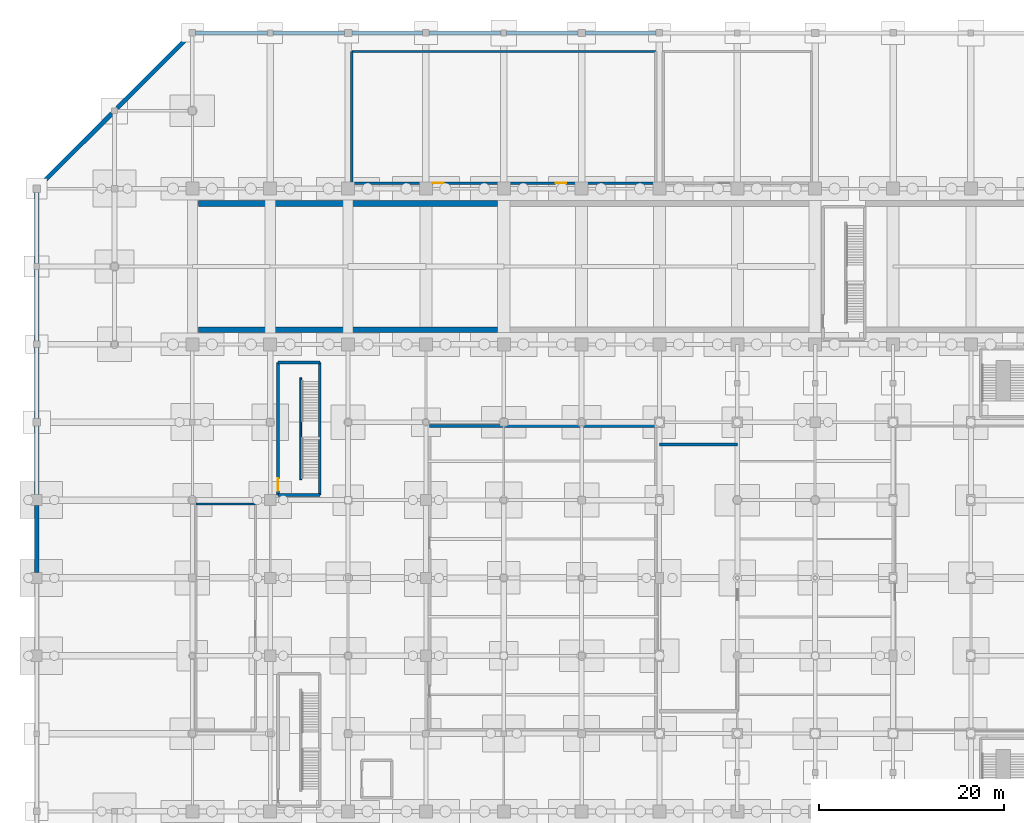
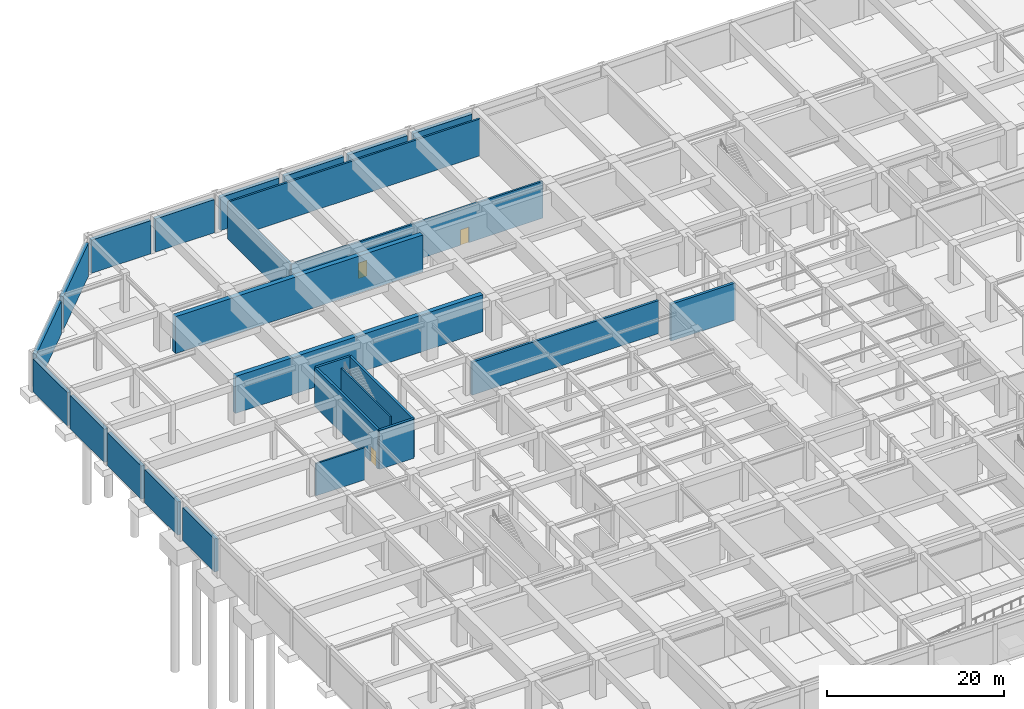
# One storey, part 21 of 26: 26 walls, 3 doors, 3 openings.
"""IFC4 building model written with IfcOpenShell, lengths in metres."""

from ifc_helpers import new_model, si_unit, direction, frame, frame_2d, origin, place, context, subcontext, project, spatial, rectangle, extrude, material, layer, layer_set, type_object, element, fill, save


model = new_model("IFC4")

# Units and contexts
model_context = context("Model", 3, precision=1e-05, world=origin(), true_north=direction((0.0, 1.0)))
body_context = subcontext(model_context, "Body", "Model", "MODEL_VIEW")
ifc_project = project(units=[si_unit("LENGTHUNIT", "METRE"), si_unit("AREAUNIT", "SQUARE_METRE"), si_unit("VOLUMEUNIT", "CUBIC_METRE"), si_unit("PLANEANGLEUNIT", "RADIAN"), si_unit("MASSUNIT", "GRAM", prefix="KILO")], contexts=[model_context])

# Site, building, storey
site_placement = place(None, origin())
site = spatial("IfcSite", under=ifc_project, at=site_placement, CompositionType="ELEMENT")
building_placement = place(site_placement, origin())
building = spatial("IfcBuilding", under=site, at=building_placement, Name="Xuanlan Plaza Opera House", CompositionType="ELEMENT")
storey_placement = place(building_placement, frame((0.0, 0.0, -5.39990234375)))
storey = spatial("IfcBuildingStorey", under=building, at=storey_placement, Name="B01", CompositionType="ELEMENT", Elevation=-5.39990234375)

# Walls
ifc_material_1 = material(Name="Concrete C50", Category="concrete")
ifc_layer_1 = layer(ifc_material_1, 0.47998046875)
ifc_layer_set_1 = layer_set([ifc_layer_1], Name="Concrete C50")
wall_type_1 = type_object("IfcWallType", Name="ENV-WL-EW-B01", PredefinedType="SHEAR", material=ifc_layer_set_1)
wall_1_placement = place(storey_placement, frame((66.85009765625, 117.60009765625, 0.0), z_axis=(0.0, 0.0, 1.0), x_axis=(-1.0, 0.0, 0.0)))
element("IfcWall", 1, at=wall_1_placement, inside=storey, type_object=wall_type_1, Name="Exterior Wall B01-041", PredefinedType="SHEAR", context=body_context, shape_type="SweptSolid", body=[
    extrude(rectangle(XDim=7.650146484375, YDim=0.47998046875, at=frame_2d((3.8251953125, 0.0))), origin(), (0.0, 0.0, 1.0), 4.579833984375),
])
wall_2_placement = place(storey_placement, frame((58.39990234375, 117.60009765625, 0.0), z_axis=(0.0, 0.0, 1.0), x_axis=(-1.0, 0.0, 0.0)))
element("IfcWall", 2, at=wall_2_placement, inside=storey, type_object=wall_type_1, Name="Exterior Wall B01-042", PredefinedType="SHEAR", context=body_context, shape_type="SweptSolid", body=[
    extrude(rectangle(XDim=7.699951171875, YDim=0.47998046875, at=frame_2d((3.85009765625, 0.0))), origin(), (0.0, 0.0, 1.0), 4.579833984375),
])
wall_3_placement = place(storey_placement, frame((50.10009765625, 117.60009765625, 0.0), z_axis=(0.0, 0.0, 1.0), x_axis=(-1.0, 0.0, 0.0)))
element("IfcWall", 3, at=wall_3_placement, inside=storey, type_object=wall_type_1, Name="Exterior Wall B01-043", PredefinedType="SHEAR", context=body_context, shape_type="SweptSolid", body=[
    extrude(rectangle(XDim=7.75, YDim=0.47998046875, at=frame_2d((3.875, 0.0))), origin(), (0.0, 0.0, 1.0), 4.579833984375),
])
wall_4_placement = place(storey_placement, frame((41.64990234375, 117.60009765625, 0.0), z_axis=(0.0, 0.0, 1.0), x_axis=(-1.0, 0.0, 0.0)))
element("IfcWall", 4, at=wall_4_placement, inside=storey, type_object=wall_type_1, Name="Exterior Wall B01-044", PredefinedType="SHEAR", context=body_context, shape_type="SweptSolid", body=[
    extrude(rectangle(XDim=7.64990234375, YDim=0.47998046875, at=frame_2d((3.824951171875, 0.0))), origin(), (0.0, 0.0, 1.0), 4.579833984375),
])
wall_5_placement = place(storey_placement, frame((33.199951171875, 117.60009765625, 0.0), z_axis=(0.0, 0.0, 1.0), x_axis=(-1.0, 0.0, 0.0)))
element("IfcWall", 5, at=wall_5_placement, inside=storey, type_object=wall_type_1, Name="Exterior Wall B01-045", PredefinedType="SHEAR", context=body_context, shape_type="SweptSolid", body=[
    extrude(rectangle(XDim=7.699951171875, YDim=0.47998046875, at=frame_2d((3.85009765625, 0.0))), origin(), (0.0, 0.0, 1.0), 4.579833984375),
])
wall_6_placement = place(storey_placement, frame((24.89990234375, 117.60009765625, 0.0), z_axis=(0.0, 0.0, 1.0), x_axis=(-1.0, 0.0, 0.0)))
element("IfcWall", 6, at=wall_6_placement, inside=storey, type_object=wall_type_1, Name="Exterior Wall B01-046", PredefinedType="SHEAR", context=body_context, shape_type="SweptSolid", body=[
    extrude(rectangle(XDim=7.75, YDim=0.47998046875, at=frame_2d((3.875, 0.0))), origin(), (0.0, 0.0, 1.0), 4.579833984375),
])
wall_7_placement = place(storey_placement, frame((16.449951171875, 117.25, 0.0), z_axis=(0.0, 0.0, 1.0), x_axis=(-0.707106781187, -0.707106781187, 0.0)))
element("IfcWall", 7, at=wall_7_placement, inside=storey, type_object=wall_type_1, Name="Exterior Wall B01-047", PredefinedType="SHEAR", context=body_context, shape_type="SweptSolid", body=[
    extrude(rectangle(XDim=10.960205078125, YDim=0.47998046875, at=frame_2d((5.47998046875, 0.0))), origin(), (0.0, 0.0, 1.0), 4.579833984375),
])
wall_8_placement = place(storey_placement, frame((8.10009765625, 108.89990234375, 0.0), z_axis=(0.0, 0.0, 1.0), x_axis=(-0.707117990958, -0.707095571237, 0.0)))
element("IfcWall", 8, at=wall_8_placement, inside=storey, type_object=wall_type_1, Name="Exterior Wall B01-048", PredefinedType="SHEAR", context=body_context, shape_type="SweptSolid", body=[
    extrude(rectangle(XDim=10.8896484375, YDim=0.47998046875, at=frame_2d((5.44482421875, 0.0))), origin(), (0.0, 0.0, 1.0), 4.579833984375),
])
wall_9_placement = place(storey_placement, frame((0.0, 100.39990234375, 0.0), z_axis=(0.0, 0.0, 1.0), x_axis=(0.0, -1.0, 0.0)))
element("IfcWall", 9, at=wall_9_placement, inside=storey, type_object=wall_type_1, Name="Exterior Wall B01-049", PredefinedType="SHEAR", context=body_context, shape_type="SweptSolid", body=[
    extrude(rectangle(XDim=7.699951171875, YDim=0.47998046875, at=frame_2d((3.85009765625, 0.0))), origin(), (0.0, 0.0, 1.0), 4.579833984375),
])
wall_10_placement = place(storey_placement, frame((0.0, 92.10009765625, 0.0), z_axis=(0.0, 0.0, 1.0), x_axis=(0.0, -1.0, 0.0)))
element("IfcWall", 10, at=wall_10_placement, inside=storey, type_object=wall_type_1, Name="Exterior Wall B01-050", PredefinedType="SHEAR", context=body_context, shape_type="SweptSolid", body=[
    extrude(rectangle(XDim=7.75, YDim=0.47998046875, at=frame_2d((3.875, 0.0))), origin(), (0.0, 0.0, 1.0), 4.579833984375),
])
wall_11_placement = place(storey_placement, frame((0.0, 83.64990234375, 0.0), z_axis=(0.0, 0.0, 1.0), x_axis=(0.0, -1.0, 0.0)))
element("IfcWall", 11, at=wall_11_placement, inside=storey, type_object=wall_type_1, Name="Exterior Wall B01-051", PredefinedType="SHEAR", context=body_context, shape_type="SweptSolid", body=[
    extrude(rectangle(XDim=7.64990234375, YDim=0.47998046875, at=frame_2d((3.824951171875, 0.0))), origin(), (0.0, 0.0, 1.0), 4.579833984375),
])
wall_12_placement = place(storey_placement, frame((0.0, 75.199951171875, 0.0), z_axis=(0.0, 0.0, 1.0), x_axis=(0.0, -1.0, 0.0)))
element("IfcWall", 12, at=wall_12_placement, inside=storey, type_object=wall_type_1, Name="Exterior Wall B01-052", PredefinedType="SHEAR", context=body_context, shape_type="SweptSolid", body=[
    extrude(rectangle(XDim=7.39990234375, YDim=0.47998046875, at=frame_2d((3.699951171875, 0.0))), origin(), (0.0, 0.0, 1.0), 4.579833984375),
])
wall_13_placement = place(storey_placement, frame((0.0, 66.60009765625, 0.0), z_axis=(0.0, 0.0, 1.0), x_axis=(0.0, -1.0, 0.0)))
element("IfcWall", 13, at=wall_13_placement, inside=storey, type_object=wall_type_1, Name="Exterior Wall B01-053", PredefinedType="SHEAR", context=body_context, shape_type="SweptSolid", body=[
    extrude(rectangle(XDim=7.2001953125, YDim=0.47998046875, at=frame_2d((3.60009765625, 0.0))), origin(), (0.0, 0.0, 1.0), 4.579833984375),
])
ifc_material_2 = material(Name="Autoclaved Aerated Blockwork Masonry", Category="masonry")
ifc_layer_2 = layer(ifc_material_2, 0.219970703125)
ifc_layer_set_2 = layer_set([ifc_layer_2], Name="Autoclaved Aerated Blockwork Masonry")
wall_type_2 = type_object("IfcWallType", Name="INT-WL-PW-06", PredefinedType="PARTITIONING", material=ifc_layer_set_2)
wall_14_placement = place(storey_placement, frame((17.199951171875, 66.800048828125, 0.0), z_axis=(0.0, 0.0, 1.0), x_axis=(1.0, 0.0, 0.0)))
element("IfcWall", 14, at=wall_14_placement, inside=storey, type_object=wall_type_2, Name="Basement Bicycle Parking Store Wall North", PredefinedType="PARTITIONING", context=body_context, shape_type="SweptSolid", body=[
    extrude(rectangle(XDim=6.400146484375, YDim=0.219970703125, at=frame_2d((3.2001953125, 0.0))), origin(), (0.0, 0.0, 1.0), 4.43994140625),
])

# Wall, openings, doors
ifc_material_3 = material(Name="Concrete C40", Category="concrete")
ifc_layer_3 = layer(ifc_material_3, 0.25)
ifc_layer_set_3 = layer_set([ifc_layer_3], Name="Concrete C40")
wall_type_3 = type_object("IfcWallType", Name="INT-WL-SW-LF1", PredefinedType="SHEAR", material=ifc_layer_set_3)
wall_15_placement = place(storey_placement, frame((34.0, 101.39990234375, 0.0), z_axis=(0.0, 0.0, 1.0), x_axis=(1.0, 0.0, 0.0)))
wall_15 = element("IfcWall", 15, at=wall_15_placement, inside=storey, type_object=wall_type_3, Name="Chiller and Heat Pump Plant Room Wall South", PredefinedType="SHEAR", context=body_context, shape_type="SweptSolid", body=[
    extrude(rectangle(XDim=32.800048828125, YDim=0.25, at=frame_2d((16.39990234375, 0.0))), origin(), (0.0, 0.0, 1.0), 5.099853515625),
])
opening_1_placement = place(wall_15_placement, frame((8.75, 0.0, 0.0)))
opening_1 = element("IfcOpeningElement", 16, at=opening_1_placement, cuts=wall_15, Name="Opening FD-01", PredefinedType="OPENING", context=body_context, shape_type="SweptSolid", body=[
    extrude(rectangle(XDim=1.14990234375, YDim=2.14990234375, at=frame_2d((0.574951171875, 1.074951171875))), frame((0.0, 0.135009765625, 0.0), z_axis=(0.0, -1.0, 0.0), x_axis=(1.0, 0.0, 0.0)), (0.0, 0.0, 1.0), 0.27001953125),
])
opening_2_placement = place(wall_15_placement, frame((22.0, 0.0, 0.0)))
opening_2 = element("IfcOpeningElement", 17, at=opening_2_placement, cuts=wall_15, Name="Opening FD-01", PredefinedType="OPENING", context=body_context, shape_type="SweptSolid", body=[
    extrude(rectangle(XDim=1.14990234375, YDim=2.14990234375, at=frame_2d((0.574951171875, 1.074951171875))), frame((0.0, 0.135009765625, 0.0), z_axis=(0.0, -1.0, 0.0), x_axis=(1.0, 0.0, 0.0)), (0.0, 0.0, 1.0), 0.27001953125),
])
ifc_material_4 = material(Name="Galvanised Steel Q235B", Category="steel")
door_type_1 = type_object("IfcDoorType", Name="INT-DR-FD-01", OperationType="NOTDEFINED", PredefinedType="DOOR", material=ifc_material_4)
door_1_placement = place(opening_1_placement, origin())
door_1 = element("IfcDoor", 18, at=door_1_placement, inside=storey, type_object=door_type_1, Name="Chiller and Heat Pump Plant Room Door 1", OperationType="SINGLE_SWING_LEFT", OverallHeight=2.14990234375, OverallWidth=1.14990234375, PredefinedType="DOOR", context=body_context, shape_type="SweptSolid", body=[
    extrude(rectangle(XDim=1.14990234375, YDim=2.14990234375, at=frame_2d((0.574951171875, 1.074951171875))), frame((0.0, 0.02490234375, 0.0), z_axis=(0.0, -1.0, 0.0), x_axis=(1.0, 0.0, 0.0)), (0.0, 0.0, 1.0), 0.050048828125),
])
fill(opening_1, door_1)
door_2_placement = place(opening_2_placement, origin())
door_2 = element("IfcDoor", 19, at=door_2_placement, inside=storey, type_object=door_type_1, Name="Chiller and Heat Pump Plant Room Door 2", OperationType="SINGLE_SWING_RIGHT", OverallHeight=2.14990234375, OverallWidth=1.14990234375, PredefinedType="DOOR", context=body_context, shape_type="SweptSolid", body=[
    extrude(rectangle(XDim=1.14990234375, YDim=2.14990234375, at=frame_2d((0.574951171875, 1.074951171875))), frame((0.0, 0.02490234375, 0.0), z_axis=(0.0, -1.0, 0.0), x_axis=(1.0, 0.0, 0.0)), (0.0, 0.0, 1.0), 0.050048828125),
])
fill(opening_2, door_2)

# Walls
wall_16_placement = place(storey_placement, frame((34.0, 115.60009765625, 0.0), z_axis=(0.0, 0.0, 1.0), x_axis=(1.0, 0.0, 0.0)))
element("IfcWall", 20, at=wall_16_placement, inside=storey, type_object=wall_type_3, Name="Chiller and Heat Pump Plant Room Wall North", PredefinedType="SHEAR", context=body_context, shape_type="SweptSolid", body=[
    extrude(rectangle(XDim=32.800048828125, YDim=0.25, at=frame_2d((16.39990234375, 0.0))), origin(), (0.0, 0.0, 1.0), 5.099853515625),
])
wall_17_placement = place(storey_placement, frame((34.0, 101.39990234375, 0.0), z_axis=(0.0, 0.0, 1.0), x_axis=(0.0, 1.0, 0.0)))
element("IfcWall", 21, at=wall_17_placement, inside=storey, type_object=wall_type_3, Name="Chiller and Heat Pump Plant Room Wall West", PredefinedType="SHEAR", context=body_context, shape_type="SweptSolid", body=[
    extrude(rectangle(XDim=14.2001953125, YDim=0.25, at=frame_2d((7.10009765625, 0.0))), origin(), (0.0, 0.0, 1.0), 5.099853515625),
])
ifc_layer_4 = layer(ifc_material_3, 0.199951171875)
ifc_layer_set_4 = layer_set([ifc_layer_4], Name="Concrete C40")
wall_type_4 = type_object("IfcWallType", Name="INT-WL-SW-SPN", PredefinedType="SHEAR", material=ifc_layer_set_4)
wall_18_placement = place(storey_placement, frame((28.5, 69.39990234375, 0.0), z_axis=(0.0, 0.0, 1.0), x_axis=(0.0, 1.0, 0.0)))
element("IfcWall", 22, at=wall_18_placement, inside=storey, type_object=wall_type_4, Name="Stair Structural Spine Wall ST-P2 B01", PredefinedType="SHEAR", context=body_context, shape_type="SweptSolid", body=[
    extrude(rectangle(XDim=11.0, YDim=0.199951171875, at=frame_2d((5.5, 0.0))), origin(), (0.0, 0.0, 1.0), 5.39990234375),
])
ifc_layer_5 = layer(ifc_material_3, 0.300048828125)
ifc_layer_set_5 = layer_set([ifc_layer_5], Name="Concrete C40")
wall_type_5 = type_object("IfcWallType", Name="INT-WL-SW-ST1", PredefinedType="SHEAR", material=ifc_layer_set_5)
for number, where, z_axis, x_axis, name in (
    (23, (26.050048828125, 67.75, 0.0), (0.0, 0.0, 1.0), (1.0, 0.0, 0.0), "Stair Core Wall ST-P2 B01 South"),
    (24, (26.050048828125, 82.050048828125, 0.0), (0.0, 0.0, 1.0), (1.0, 0.0, 0.0), "Stair Core Wall ST-P2 B01 North"),
):
    element("IfcWall", number, at=place(storey_placement, frame(where, z_axis=z_axis, x_axis=x_axis)), inside=storey, type_object=wall_type_5, Name=name, PredefinedType="SHEAR", context=body_context, shape_type="SweptSolid", body=[
        extrude(rectangle(XDim=4.5, YDim=0.300048828125, at=frame_2d((2.25, 0.0))), origin(), (0.0, 0.0, 1.0), 5.39990234375),
    ])

# Wall, opening, door
wall_19_placement = place(storey_placement, frame((26.050048828125, 67.75, 0.0), z_axis=(0.0, 0.0, 1.0), x_axis=(0.0, 1.0, 0.0)))
wall_19 = element("IfcWall", 25, at=wall_19_placement, inside=storey, type_object=wall_type_5, Name="Stair Core Wall ST-P2 B01 West", PredefinedType="SHEAR", context=body_context, shape_type="SweptSolid", body=[
    extrude(rectangle(XDim=14.300048828125, YDim=0.300048828125, at=frame_2d((7.14990234375, 0.0))), origin(), (0.0, 0.0, 1.0), 5.39990234375),
])
opening_3_placement = place(wall_19_placement, frame((0.449951171875, 0.0, 0.0)))
opening_3 = element("IfcOpeningElement", 26, at=opening_3_placement, cuts=wall_19, Name="Opening FD-ST2", PredefinedType="OPENING", context=body_context, shape_type="SweptSolid", body=[
    extrude(rectangle(XDim=1.35009765625, YDim=2.14990234375, at=frame_2d((0.675048828125, 1.074951171875))), frame((0.0, 0.159912109375, 0.0), z_axis=(0.0, -1.0, 0.0), x_axis=(1.0, 0.0, 0.0)), (0.0, 0.0, 1.0), 0.320068359375),
])
door_type_2 = type_object("IfcDoorType", Name="INT-DR-FD-ST2", OperationType="NOTDEFINED", PredefinedType="DOOR", material=ifc_material_4)
door_3_placement = place(opening_3_placement, frame((1.35009765625, 0.0, 0.0), z_axis=(0.0, 0.0, 1.0), x_axis=(-1.0, 0.0, 0.0)))
door_3 = element("IfcDoor", 27, at=door_3_placement, inside=storey, type_object=door_type_2, Name="Stair Enclosure Fire Door ST-P2 B01", OperationType="SINGLE_SWING_RIGHT", OverallHeight=2.14990234375, OverallWidth=1.35009765625, PredefinedType="DOOR", context=body_context, shape_type="SweptSolid", body=[
    extrude(rectangle(XDim=1.35009765625, YDim=2.14990234375, at=frame_2d((0.675048828125, 1.074951171875))), frame((0.0, 0.02490234375, 0.0), z_axis=(0.0, -1.0, 0.0), x_axis=(1.0, 0.0, 0.0)), (0.0, 0.0, 1.0), 0.050048828125),
])
fill(opening_3, door_3)

# Walls
wall_20_placement = place(storey_placement, frame((30.550048828125, 67.75, 0.0), z_axis=(0.0, 0.0, 1.0), x_axis=(0.0, 1.0, 0.0)))
element("IfcWall", 28, at=wall_20_placement, inside=storey, type_object=wall_type_5, Name="Stair Core Wall ST-P2 B01 East", PredefinedType="SHEAR", context=body_context, shape_type="SweptSolid", body=[
    extrude(rectangle(XDim=14.300048828125, YDim=0.300048828125, at=frame_2d((7.14990234375, 0.0))), origin(), (0.0, 0.0, 1.0), 5.39990234375),
])
wall_21_placement = place(storey_placement, frame((42.39990234375, 75.199951171875, 0.0), z_axis=(0.0, 0.0, 1.0), x_axis=(1.0, 0.0, 0.0)))
element("IfcWall", 29, at=wall_21_placement, inside=storey, type_object=wall_type_5, Name="Understage Trap and Machinery Room Wall North", PredefinedType="SHEAR", context=body_context, shape_type="SweptSolid", body=[
    extrude(rectangle(XDim=24.400146484375, YDim=0.300048828125, at=frame_2d((12.2001953125, 0.0))), origin(), (0.0, 0.0, 1.0), 4.5498046875),
])
ifc_layer_6 = layer(ifc_material_3, 0.35009765625)
ifc_layer_set_6 = layer_set([ifc_layer_6], Name="Concrete C40")
wall_type_6 = type_object("IfcWallType", Name="STR-WL-SW-C2", PredefinedType="SHEAR", material=ifc_layer_set_6)
wall_22_placement = place(storey_placement, frame((67.199951171875, 73.199951171875, 0.0), z_axis=(0.0, 0.0, 1.0), x_axis=(1.0, 0.0, 0.0)))
element("IfcWall", 30, at=wall_22_placement, inside=storey, type_object=wall_type_6, Name="Orchestra Pit Support Wall N", PredefinedType="SHEAR", context=body_context, shape_type="SweptSolid", body=[
    extrude(rectangle(XDim=8.400146484375, YDim=0.35009765625, at=frame_2d((4.2001953125, 0.0))), origin(), (0.0, 0.0, 1.0), 5.099853515625),
])
ifc_layer_7 = layer(ifc_material_1, 0.60009765625)
ifc_layer_set_7 = layer_set([ifc_layer_7], Name="Concrete C50")
wall_type_7 = type_object("IfcWallType", Name="STR-WL-SW-M1", PredefinedType="SHEAR", material=ifc_layer_set_7)
for number, where, z_axis, x_axis, name in (
    (31, (17.449951171875, 85.60009765625, 0.0), (0.0, 0.0, 1.0), (1.0, 0.0, 0.0), "Metro Tunnel Protection Wall M3-01"),
    (32, (17.449951171875, 99.199951171875, 0.0), (0.0, 0.0, 1.0), (1.0, 0.0, 0.0), "Metro Tunnel Protection Wall M4-01"),
):
    element("IfcWall", number, at=place(storey_placement, frame(where, z_axis=z_axis, x_axis=x_axis)), inside=storey, type_object=wall_type_7, Name=name, PredefinedType="SHEAR", context=body_context, shape_type="SweptSolid", body=[
        extrude(rectangle(XDim=32.300048828125, YDim=0.60009765625, at=frame_2d((16.14990234375, 0.0))), origin(), (0.0, 0.0, 1.0), 5.099853515625),
    ])

save(model, "model.ifc")
